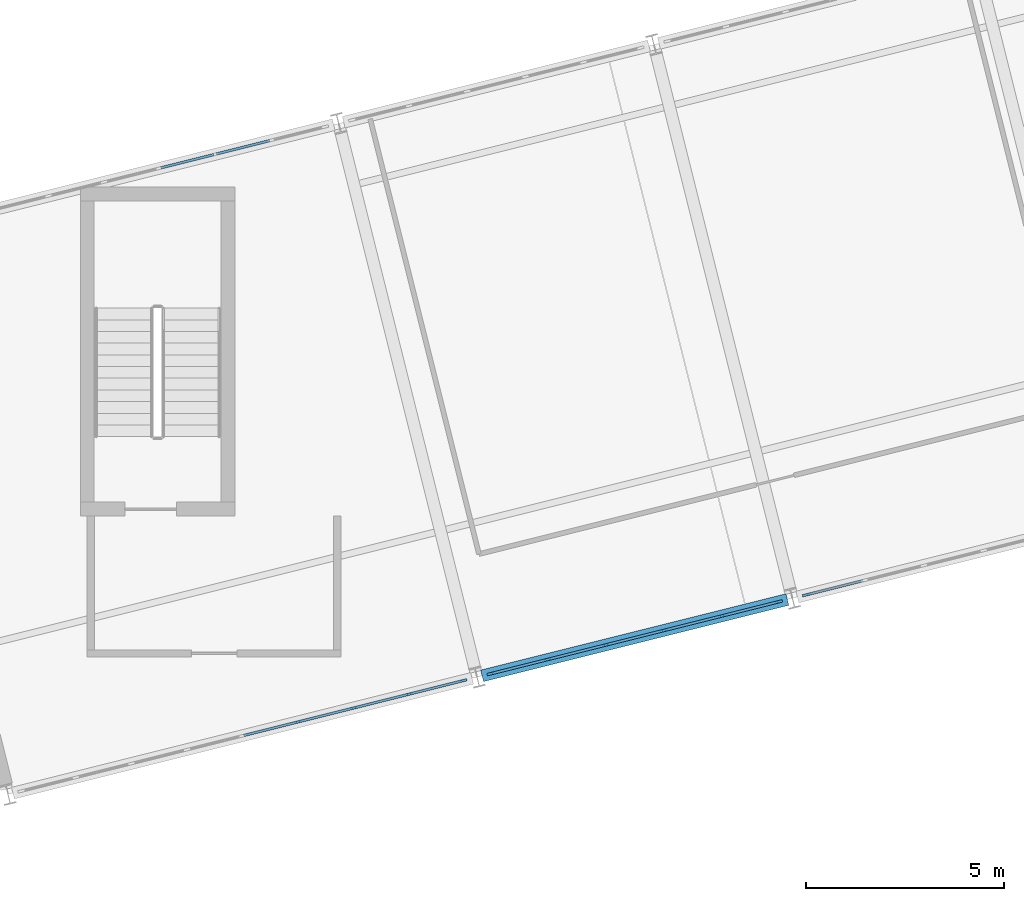
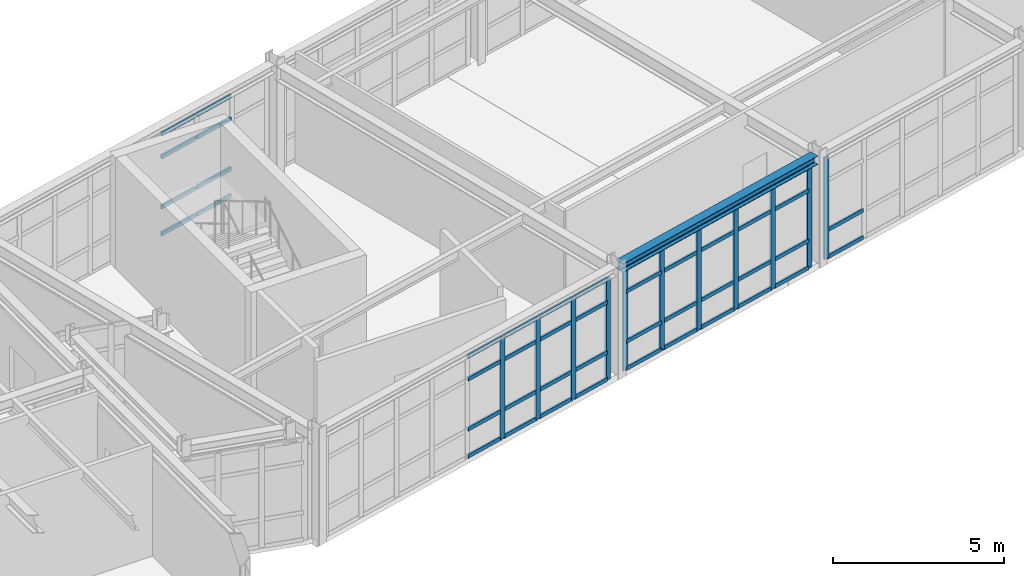
# One storey, part 19 of 88: 57 members, 1 beam, 4 elements without a shape of their own.
"""IFC4 building model written with IfcOpenShell, lengths in metres."""

from ifc_helpers import new_model, si_unit, direction, frame, origin, origin_2d, place, context, subcontext, project, spatial, rectangle, i_section, extrude, material, layer, layer_set, material_profile, profile_set, type_object, element, aggregate, save


model = new_model("IFC4")

# Units and contexts
model_context = context("Model", 3, precision=1e-05, world=origin(), true_north=direction((0.0, 1.0)))
body_context = subcontext(model_context, "Body", "Model", "MODEL_VIEW")
ifc_project = project(units=[si_unit("LENGTHUNIT", "METRE"), si_unit("AREAUNIT", "SQUARE_METRE"), si_unit("VOLUMEUNIT", "CUBIC_METRE"), si_unit("PLANEANGLEUNIT", "RADIAN"), si_unit("MASSUNIT", "GRAM", prefix="KILO")], contexts=[model_context])

# Site, building, storey
site_placement = place(None, origin())
site = spatial("IfcSite", under=ifc_project, at=site_placement, CompositionType="ELEMENT")
building_placement = place(site_placement, origin())
building = spatial("IfcBuilding", under=site, at=building_placement, Name="Nordkorset Police Headquarters", CompositionType="ELEMENT")
storey_placement = place(building_placement, frame((0.0, 0.0, 9.449951171875)))
storey = spatial("IfcBuildingStorey", under=building, at=storey_placement, Name="L02", CompositionType="ELEMENT", Elevation=9.449951171875)

# Curtain wall, members
ifc_material_1 = material(Name="Aluminium alloy AW-6060", Category="aluminium")
ifc_layer_1 = layer(ifc_material_1, 0.179931640625, Name="Aluminium alloy AW-6060")
ifc_layer_set_1 = layer_set([ifc_layer_1], Name="Aluminium alloy AW-6060")
curtain_wall_type_1 = type_object("IfcCurtainWallType", Name="CW_Unit_1156x364", PredefinedType="USERDEFINED", material=ifc_layer_set_1)
curtain_wall_1_placement = place(storey_placement, origin())
curtain_wall_1 = element("IfcCurtainWall", 1, at=curtain_wall_1_placement, inside=storey, type_object=curtain_wall_type_1, Name="Unitised Curtain Wall L02 V4S-0", ObjectType="UNITISED CURTAIN WALL", PredefinedType="USERDEFINED")
ifc_material_2 = material(Name="Aluminium alloy AW-6060", Category="aluminium")
ifc_material_profile_1 = material_profile(ifc_material_2, rectangle(XDim=0.06494140625, YDim=0.179931640625, at=origin_2d()), Name="ALU MULL 65x180")
ifc_profile_set_1 = profile_set([ifc_material_profile_1], Name="Aluminium alloy AW-6060")
member_type_1 = type_object("IfcMemberType", Name="CW_Mullion_65x180", PredefinedType="MULLION", material=ifc_profile_set_1)
member_1_placement = place(storey_placement, frame((30.919677734375, 43.829833984375, 0.0), z_axis=(0.0, 0.0, 1.0), x_axis=(-0.242535625038, 0.970142500145, 0.0)))
member_1 = element("IfcMember", 2, at=member_1_placement, type_object=member_type_1, Name="CW-103 mullion 6", PredefinedType="MULLION", context=body_context, shape_type="SweptSolid", body=[
    extrude(rectangle(XDim=0.06494140625, YDim=0.179931640625, at=origin_2d()), origin(), (0.0, 0.0, 1.0), 3.64013671875),
])
member_2_placement = place(storey_placement, frame((32.321533203125, 44.180419921875, 0.0), z_axis=(0.0, 0.0, 1.0), x_axis=(-0.242535625038, 0.970142500145, 0.0)))
member_2 = element("IfcMember", 3, at=member_2_placement, type_object=member_type_1, Name="CW-103 mullion 7", PredefinedType="MULLION", context=body_context, shape_type="SweptSolid", body=[
    extrude(rectangle(XDim=0.06494140625, YDim=0.179931640625, at=origin_2d()), origin(), (0.0, 0.0, 1.0), 3.64013671875),
])
member_3_placement = place(storey_placement, frame((33.723388671875, 44.53076171875, 0.0), z_axis=(0.0, 0.0, 1.0), x_axis=(-0.242535625038, 0.970142500145, 0.0)))
member_3 = element("IfcMember", 4, at=member_3_placement, type_object=member_type_1, Name="CW-103 mullion 8", PredefinedType="MULLION", context=body_context, shape_type="SweptSolid", body=[
    extrude(rectangle(XDim=0.06494140625, YDim=0.179931640625, at=origin_2d()), origin(), (0.0, 0.0, 1.0), 3.64013671875),
])
member_4_placement = place(storey_placement, frame((35.09375, 44.87353515625, 0.0), z_axis=(0.0, 0.0, 1.0), x_axis=(-0.242535625038, 0.970142500145, 0.0)))
member_4 = element("IfcMember", 5, at=member_4_placement, type_object=member_type_1, Name="CW-103 mullion 9", PredefinedType="MULLION", context=body_context, shape_type="SweptSolid", body=[
    extrude(rectangle(XDim=0.06494140625, YDim=0.179931640625, at=origin_2d()), origin(), (0.0, 0.0, 1.0), 3.64013671875),
])

ifc_material_3 = material(Name="Aluminium alloy AW-6060", Category="aluminium")
ifc_layer_2 = layer(ifc_material_3, 0.179931640625, Name="Aluminium alloy AW-6060")
ifc_layer_set_2 = layer_set([ifc_layer_2], Name="Aluminium alloy AW-6060")
curtain_wall_type_2 = type_object("IfcCurtainWallType", Name="CW_Unit_756x364", PredefinedType="USERDEFINED", material=ifc_layer_set_2)
curtain_wall_2_placement = place(storey_placement, origin())
curtain_wall_2 = element("IfcCurtainWall", 6, at=curtain_wall_2_placement, inside=storey, type_object=curtain_wall_type_2, Name="Unitised Curtain Wall L02 V4S-1", ObjectType="UNITISED CURTAIN WALL", PredefinedType="USERDEFINED")
member_5_placement = place(storey_placement, frame((35.777587890625, 45.04443359375, 0.0), z_axis=(0.0, 0.0, 1.0), x_axis=(-0.242535625038, 0.970142500145, 0.0)))
member_5 = element("IfcMember", 7, at=member_5_placement, type_object=member_type_1, Name="CW-10 mullion 1", PredefinedType="MULLION", context=body_context, shape_type="SweptSolid", body=[
    extrude(rectangle(XDim=0.06494140625, YDim=0.179931640625, at=origin_2d()), origin(), (0.0, 0.0, 1.0), 3.64013671875),
])
member_6_placement = place(storey_placement, frame((37.213134765625, 45.4033203125, 0.0), z_axis=(0.0, 0.0, 1.0), x_axis=(-0.242535625038, 0.970142500145, 0.0)))
member_6 = element("IfcMember", 8, at=member_6_placement, type_object=member_type_1, Name="CW-10 mullion 2", PredefinedType="MULLION", context=body_context, shape_type="SweptSolid", body=[
    extrude(rectangle(XDim=0.06494140625, YDim=0.179931640625, at=origin_2d()), origin(), (0.0, 0.0, 1.0), 3.64013671875),
])
member_7_placement = place(storey_placement, frame((38.679931640625, 45.77001953125, 0.0), z_axis=(0.0, 0.0, 1.0), x_axis=(-0.242535625038, 0.970142500145, 0.0)))
member_7 = element("IfcMember", 9, at=member_7_placement, type_object=member_type_1, Name="CW-10 mullion 3", PredefinedType="MULLION", context=body_context, shape_type="SweptSolid", body=[
    extrude(rectangle(XDim=0.06494140625, YDim=0.179931640625, at=origin_2d()), origin(), (0.0, 0.0, 1.0), 3.64013671875),
])
member_8_placement = place(storey_placement, frame((40.146728515625, 46.13671875, 0.0), z_axis=(0.0, 0.0, 1.0), x_axis=(-0.242535625038, 0.970142500145, 0.0)))
member_8 = element("IfcMember", 10, at=member_8_placement, type_object=member_type_1, Name="CW-10 mullion 4", PredefinedType="MULLION", context=body_context, shape_type="SweptSolid", body=[
    extrude(rectangle(XDim=0.06494140625, YDim=0.179931640625, at=origin_2d()), origin(), (0.0, 0.0, 1.0), 3.64013671875),
])
member_9_placement = place(storey_placement, frame((41.613525390625, 46.50341796875, 0.0), z_axis=(0.0, 0.0, 1.0), x_axis=(-0.242535625038, 0.970142500145, 0.0)))
member_9 = element("IfcMember", 11, at=member_9_placement, type_object=member_type_1, Name="CW-10 mullion 5", PredefinedType="MULLION", context=body_context, shape_type="SweptSolid", body=[
    extrude(rectangle(XDim=0.06494140625, YDim=0.179931640625, at=origin_2d()), origin(), (0.0, 0.0, 1.0), 3.64013671875),
])
member_10_placement = place(storey_placement, frame((43.048828125, 46.8623046875, 0.0), z_axis=(0.0, 0.0, 1.0), x_axis=(-0.242535625038, 0.970142500145, 0.0)))
member_10 = element("IfcMember", 12, at=member_10_placement, type_object=member_type_1, Name="CW-10 mullion 6", PredefinedType="MULLION", context=body_context, shape_type="SweptSolid", body=[
    extrude(rectangle(XDim=0.06494140625, YDim=0.179931640625, at=origin_2d()), origin(), (0.0, 0.0, 1.0), 3.64013671875),
])

# Curtain wall, member
ifc_material_4 = material(Name="Aluminium alloy AW-6060", Category="aluminium")
ifc_layer_3 = layer(ifc_material_4, 0.179931640625, Name="Aluminium alloy AW-6060")
ifc_layer_set_3 = layer_set([ifc_layer_3], Name="Aluminium alloy AW-6060")
curtain_wall_type_3 = type_object("IfcCurtainWallType", Name="CW_Unit_776x364", PredefinedType="USERDEFINED", material=ifc_layer_set_3)
curtain_wall_3_placement = place(storey_placement, origin())
curtain_wall_3 = element("IfcCurtainWall", 13, at=curtain_wall_3_placement, inside=storey, type_object=curtain_wall_type_3, Name="Unitised Curtain Wall L02 V4S-2", ObjectType="UNITISED CURTAIN WALL", PredefinedType="USERDEFINED")
member_11_placement = place(storey_placement, frame((43.73291015625, 47.033203125, 0.0), z_axis=(0.0, 0.0, 1.0), x_axis=(-0.24253471539, 0.970142727556, 0.0)))
member_11 = element("IfcMember", 14, at=member_11_placement, type_object=member_type_1, Name="CW-100 mullion 1", PredefinedType="MULLION", context=body_context, shape_type="SweptSolid", body=[
    extrude(rectangle(XDim=0.06494140625, YDim=0.179931640625, at=origin_2d()), origin(), (0.0, 0.0, 1.0), 3.64013671875),
])

# Member
ifc_material_5 = material(Name="Aluminium alloy AW-6060", Category="aluminium")
ifc_material_profile_2 = material_profile(ifc_material_5, rectangle(XDim=0.06494140625, YDim=0.139892578125, at=origin_2d()), Name="ALU TRAN 65x140")
ifc_profile_set_2 = profile_set([ifc_material_profile_2], Name="Aluminium alloy AW-6060")
member_type_2 = type_object("IfcMemberType", Name="CW_Transom_65x140", PredefinedType="USERDEFINED", material=ifc_profile_set_2)
member_12_placement = place(storey_placement, frame((29.54931640625, 43.4873046875, 0.032470703125), z_axis=(0.970142500145, 0.242535625036, 0.0), x_axis=(-0.242535625036, 0.970142500145, 0.0)))
member_12 = element("IfcMember", 15, at=member_12_placement, type_object=member_type_2, Name="CW-103 transom 5.1", ObjectType="TRANSOM", PredefinedType="USERDEFINED", context=body_context, shape_type="SweptSolid", body=[
    extrude(rectangle(XDim=0.06494140625, YDim=0.139892578125, at=origin_2d()), origin(), (0.0, 0.0, 1.0), 1.380126953125),
])

member_13_placement = place(storey_placement, frame((29.54931640625, 43.4873046875, 1.0), z_axis=(0.970142500145, 0.242535625036, 0.0), x_axis=(-0.242535625036, 0.970142500145, 0.0)))
member_13 = element("IfcMember", 16, at=member_13_placement, type_object=member_type_2, Name="CW-103 transom 5.2", ObjectType="TRANSOM", PredefinedType="USERDEFINED", context=body_context, shape_type="SweptSolid", body=[
    extrude(rectangle(XDim=0.06494140625, YDim=0.139892578125, at=origin_2d()), origin(), (0.0, 0.0, 1.0), 1.380126953125),
])

member_14_placement = place(storey_placement, frame((29.54931640625, 43.4873046875, 2.7900390625), z_axis=(0.970142500145, 0.242535625036, 0.0), x_axis=(-0.242535625036, 0.970142500145, 0.0)))
member_14 = element("IfcMember", 17, at=member_14_placement, type_object=member_type_2, Name="CW-103 transom 5.3", ObjectType="TRANSOM", PredefinedType="USERDEFINED", context=body_context, shape_type="SweptSolid", body=[
    extrude(rectangle(XDim=0.06494140625, YDim=0.139892578125, at=origin_2d()), origin(), (0.0, 0.0, 1.0), 1.380126953125),
])

member_15_placement = place(storey_placement, frame((29.54931640625, 43.4873046875, 3.607666015625), z_axis=(0.970142500145, 0.242535625036, 0.0), x_axis=(-0.242535625036, 0.970142500145, 0.0)))
member_15 = element("IfcMember", 18, at=member_15_placement, type_object=member_type_2, Name="CW-103 transom 5.4", ObjectType="TRANSOM", PredefinedType="USERDEFINED", context=body_context, shape_type="SweptSolid", body=[
    extrude(rectangle(XDim=0.06494140625, YDim=0.139892578125, at=origin_2d()), origin(), (0.0, 0.0, 1.0), 1.380126953125),
])

member_16_placement = place(storey_placement, frame((30.951171875, 43.837890625, 0.032470703125), z_axis=(0.970142500145, 0.242535625036, 0.0), x_axis=(-0.242535625036, 0.970142500145, 0.0)))
member_16 = element("IfcMember", 19, at=member_16_placement, type_object=member_type_2, Name="CW-103 transom 6.1", ObjectType="TRANSOM", PredefinedType="USERDEFINED", context=body_context, shape_type="SweptSolid", body=[
    extrude(rectangle(XDim=0.06494140625, YDim=0.139892578125, at=origin_2d()), origin(), (0.0, 0.0, 1.0), 1.380126953125),
])

member_17_placement = place(storey_placement, frame((30.951171875, 43.837890625, 1.0), z_axis=(0.970142500145, 0.242535625036, 0.0), x_axis=(-0.242535625036, 0.970142500145, 0.0)))
member_17 = element("IfcMember", 20, at=member_17_placement, type_object=member_type_2, Name="CW-103 transom 6.2", ObjectType="TRANSOM", PredefinedType="USERDEFINED", context=body_context, shape_type="SweptSolid", body=[
    extrude(rectangle(XDim=0.06494140625, YDim=0.139892578125, at=origin_2d()), origin(), (0.0, 0.0, 1.0), 1.380126953125),
])

member_18_placement = place(storey_placement, frame((30.951171875, 43.837890625, 2.7900390625), z_axis=(0.970142500145, 0.242535625036, 0.0), x_axis=(-0.242535625036, 0.970142500145, 0.0)))
member_18 = element("IfcMember", 21, at=member_18_placement, type_object=member_type_2, Name="CW-103 transom 6.3", ObjectType="TRANSOM", PredefinedType="USERDEFINED", context=body_context, shape_type="SweptSolid", body=[
    extrude(rectangle(XDim=0.06494140625, YDim=0.139892578125, at=origin_2d()), origin(), (0.0, 0.0, 1.0), 1.380126953125),
])

member_19_placement = place(storey_placement, frame((30.951171875, 43.837890625, 3.607666015625), z_axis=(0.970142500145, 0.242535625036, 0.0), x_axis=(-0.242535625036, 0.970142500145, 0.0)))
member_19 = element("IfcMember", 22, at=member_19_placement, type_object=member_type_2, Name="CW-103 transom 6.4", ObjectType="TRANSOM", PredefinedType="USERDEFINED", context=body_context, shape_type="SweptSolid", body=[
    extrude(rectangle(XDim=0.06494140625, YDim=0.139892578125, at=origin_2d()), origin(), (0.0, 0.0, 1.0), 1.380126953125),
])

member_20_placement = place(storey_placement, frame((32.35302734375, 44.188232421875, 0.032470703125), z_axis=(0.970142500145, 0.242535625036, 0.0), x_axis=(-0.242535625036, 0.970142500145, 0.0)))
member_20 = element("IfcMember", 23, at=member_20_placement, type_object=member_type_2, Name="CW-103 transom 7.1", ObjectType="TRANSOM", PredefinedType="USERDEFINED", context=body_context, shape_type="SweptSolid", body=[
    extrude(rectangle(XDim=0.06494140625, YDim=0.139892578125, at=origin_2d()), origin(), (0.0, 0.0, 1.0), 1.380126953125),
])

member_21_placement = place(storey_placement, frame((32.35302734375, 44.188232421875, 1.0), z_axis=(0.970142500145, 0.242535625036, 0.0), x_axis=(-0.242535625036, 0.970142500145, 0.0)))
member_21 = element("IfcMember", 24, at=member_21_placement, type_object=member_type_2, Name="CW-103 transom 7.2", ObjectType="TRANSOM", PredefinedType="USERDEFINED", context=body_context, shape_type="SweptSolid", body=[
    extrude(rectangle(XDim=0.06494140625, YDim=0.139892578125, at=origin_2d()), origin(), (0.0, 0.0, 1.0), 1.380126953125),
])

member_22_placement = place(storey_placement, frame((32.35302734375, 44.188232421875, 2.7900390625), z_axis=(0.970142500145, 0.242535625036, 0.0), x_axis=(-0.242535625036, 0.970142500145, 0.0)))
member_22 = element("IfcMember", 25, at=member_22_placement, type_object=member_type_2, Name="CW-103 transom 7.3", ObjectType="TRANSOM", PredefinedType="USERDEFINED", context=body_context, shape_type="SweptSolid", body=[
    extrude(rectangle(XDim=0.06494140625, YDim=0.139892578125, at=origin_2d()), origin(), (0.0, 0.0, 1.0), 1.380126953125),
])

member_23_placement = place(storey_placement, frame((32.35302734375, 44.188232421875, 3.607666015625), z_axis=(0.970142500145, 0.242535625036, 0.0), x_axis=(-0.242535625036, 0.970142500145, 0.0)))
member_23 = element("IfcMember", 26, at=member_23_placement, type_object=member_type_2, Name="CW-103 transom 7.4", ObjectType="TRANSOM", PredefinedType="USERDEFINED", context=body_context, shape_type="SweptSolid", body=[
    extrude(rectangle(XDim=0.06494140625, YDim=0.139892578125, at=origin_2d()), origin(), (0.0, 0.0, 1.0), 1.380126953125),
])

member_24_placement = place(storey_placement, frame((33.7548828125, 44.538818359375, 0.032470703125), z_axis=(0.970174463193, 0.242407737022, 0.0), x_axis=(-0.242407737022, 0.970174463193, 0.0)))
member_24 = element("IfcMember", 27, at=member_24_placement, type_object=member_type_2, Name="CW-103 transom 8.1", ObjectType="TRANSOM", PredefinedType="USERDEFINED", context=body_context, shape_type="SweptSolid", body=[
    extrude(rectangle(XDim=0.06494140625, YDim=0.139892578125, at=origin_2d()), origin(), (0.0, 0.0, 1.0), 1.34765625),
])

member_25_placement = place(storey_placement, frame((33.7548828125, 44.538818359375, 1.0), z_axis=(0.970174463193, 0.242407737022, 0.0), x_axis=(-0.242407737022, 0.970174463193, 0.0)))
member_25 = element("IfcMember", 28, at=member_25_placement, type_object=member_type_2, Name="CW-103 transom 8.2", ObjectType="TRANSOM", PredefinedType="USERDEFINED", context=body_context, shape_type="SweptSolid", body=[
    extrude(rectangle(XDim=0.06494140625, YDim=0.139892578125, at=origin_2d()), origin(), (0.0, 0.0, 1.0), 1.34765625),
])

member_26_placement = place(storey_placement, frame((33.7548828125, 44.538818359375, 2.7900390625), z_axis=(0.970174463193, 0.242407737022, 0.0), x_axis=(-0.242407737022, 0.970174463193, 0.0)))
member_26 = element("IfcMember", 29, at=member_26_placement, type_object=member_type_2, Name="CW-103 transom 8.3", ObjectType="TRANSOM", PredefinedType="USERDEFINED", context=body_context, shape_type="SweptSolid", body=[
    extrude(rectangle(XDim=0.06494140625, YDim=0.139892578125, at=origin_2d()), origin(), (0.0, 0.0, 1.0), 1.34765625),
])

member_27_placement = place(storey_placement, frame((33.7548828125, 44.538818359375, 3.607666015625), z_axis=(0.970174463193, 0.242407737022, 0.0), x_axis=(-0.242407737022, 0.970174463193, 0.0)))
member_27 = element("IfcMember", 30, at=member_27_placement, type_object=member_type_2, Name="CW-103 transom 8.4", ObjectType="TRANSOM", PredefinedType="USERDEFINED", context=body_context, shape_type="SweptSolid", body=[
    extrude(rectangle(XDim=0.06494140625, YDim=0.139892578125, at=origin_2d()), origin(), (0.0, 0.0, 1.0), 1.34765625),
])

aggregate(curtain_wall_1, [member_1, member_2, member_3, member_4, member_12, member_13, member_14, member_15, member_16, member_17, member_18, member_19, member_20, member_21, member_22, member_23, member_24, member_25, member_26, member_27])

# Curtain wall, members
curtain_wall_4_placement = place(storey_placement, origin())
curtain_wall_4 = element("IfcCurtainWall", 31, at=curtain_wall_4_placement, inside=storey, type_object=curtain_wall_type_1, Name="Unitised Curtain Wall L02 V4N-0", ObjectType="UNITISED CURTAIN WALL", PredefinedType="USERDEFINED")
member_28_placement = place(storey_placement, frame((27.458740234375, 57.807861328125, 0.032470703125), z_axis=(0.970142500145, 0.242535625036, 0.0), x_axis=(-0.242535625036, 0.970142500145, 0.0)))
member_28 = element("IfcMember", 32, at=member_28_placement, type_object=member_type_2, Name="CW-103 transom 6.1", ObjectType="TRANSOM", PredefinedType="USERDEFINED", context=body_context, shape_type="SweptSolid", body=[
    extrude(rectangle(XDim=0.06494140625, YDim=0.139892578125, at=origin_2d()), origin(), (0.0, 0.0, 1.0), 1.380126953125),
])
member_29_placement = place(storey_placement, frame((27.458740234375, 57.807861328125, 1.0), z_axis=(0.970142500145, 0.242535625036, 0.0), x_axis=(-0.242535625036, 0.970142500145, 0.0)))
member_29 = element("IfcMember", 33, at=member_29_placement, type_object=member_type_2, Name="CW-103 transom 6.2", ObjectType="TRANSOM", PredefinedType="USERDEFINED", context=body_context, shape_type="SweptSolid", body=[
    extrude(rectangle(XDim=0.06494140625, YDim=0.139892578125, at=origin_2d()), origin(), (0.0, 0.0, 1.0), 1.380126953125),
])
member_30_placement = place(storey_placement, frame((27.458740234375, 57.807861328125, 2.7900390625), z_axis=(0.970142500145, 0.242535625036, 0.0), x_axis=(-0.242535625036, 0.970142500145, 0.0)))
member_30 = element("IfcMember", 34, at=member_30_placement, type_object=member_type_2, Name="CW-103 transom 6.3", ObjectType="TRANSOM", PredefinedType="USERDEFINED", context=body_context, shape_type="SweptSolid", body=[
    extrude(rectangle(XDim=0.06494140625, YDim=0.139892578125, at=origin_2d()), origin(), (0.0, 0.0, 1.0), 1.380126953125),
])
member_31_placement = place(storey_placement, frame((27.458740234375, 57.807861328125, 3.607666015625), z_axis=(0.970142500145, 0.242535625036, 0.0), x_axis=(-0.242535625036, 0.970142500145, 0.0)))
member_31 = element("IfcMember", 35, at=member_31_placement, type_object=member_type_2, Name="CW-103 transom 6.4", ObjectType="TRANSOM", PredefinedType="USERDEFINED", context=body_context, shape_type="SweptSolid", body=[
    extrude(rectangle(XDim=0.06494140625, YDim=0.139892578125, at=origin_2d()), origin(), (0.0, 0.0, 1.0), 1.380126953125),
])
member_32_placement = place(storey_placement, frame((28.860595703125, 58.158447265625, 0.032470703125), z_axis=(0.970184112154, 0.242369116275, 0.0), x_axis=(-0.242369116275, 0.970184112154, 0.0)))
member_32 = element("IfcMember", 36, at=member_32_placement, type_object=member_type_2, Name="CW-103 transom 7.1", ObjectType="TRANSOM", PredefinedType="USERDEFINED", context=body_context, shape_type="SweptSolid", body=[
    extrude(rectangle(XDim=0.06494140625, YDim=0.139892578125, at=origin_2d()), origin(), (0.0, 0.0, 1.0), 1.380126953125),
])
member_33_placement = place(storey_placement, frame((28.860595703125, 58.158447265625, 1.0), z_axis=(0.970184112154, 0.242369116275, 0.0), x_axis=(-0.242369116275, 0.970184112154, 0.0)))
member_33 = element("IfcMember", 37, at=member_33_placement, type_object=member_type_2, Name="CW-103 transom 7.2", ObjectType="TRANSOM", PredefinedType="USERDEFINED", context=body_context, shape_type="SweptSolid", body=[
    extrude(rectangle(XDim=0.06494140625, YDim=0.139892578125, at=origin_2d()), origin(), (0.0, 0.0, 1.0), 1.380126953125),
])
member_34_placement = place(storey_placement, frame((28.860595703125, 58.158447265625, 2.7900390625), z_axis=(0.970184112154, 0.242369116275, 0.0), x_axis=(-0.242369116275, 0.970184112154, 0.0)))
member_34 = element("IfcMember", 38, at=member_34_placement, type_object=member_type_2, Name="CW-103 transom 7.3", ObjectType="TRANSOM", PredefinedType="USERDEFINED", context=body_context, shape_type="SweptSolid", body=[
    extrude(rectangle(XDim=0.06494140625, YDim=0.139892578125, at=origin_2d()), origin(), (0.0, 0.0, 1.0), 1.380126953125),
])
member_35_placement = place(storey_placement, frame((28.860595703125, 58.158447265625, 3.607666015625), z_axis=(0.970184112154, 0.242369116275, 0.0), x_axis=(-0.242369116275, 0.970184112154, 0.0)))
member_35 = element("IfcMember", 39, at=member_35_placement, type_object=member_type_2, Name="CW-103 transom 7.4", ObjectType="TRANSOM", PredefinedType="USERDEFINED", context=body_context, shape_type="SweptSolid", body=[
    extrude(rectangle(XDim=0.06494140625, YDim=0.139892578125, at=origin_2d()), origin(), (0.0, 0.0, 1.0), 1.380126953125),
])
aggregate(curtain_wall_4, [member_28, member_29, member_30, member_31, member_32, member_33, member_34, member_35])

# Member
member_36_placement = place(storey_placement, frame((35.809326171875, 45.05224609375, 0.032470703125), z_axis=(0.970142500145, 0.242535625036, 0.0), x_axis=(-0.242535625036, 0.970142500145, 0.0)))
member_36 = element("IfcMember", 40, at=member_36_placement, type_object=member_type_2, Name="CW-10 transom 1.1", ObjectType="TRANSOM", PredefinedType="USERDEFINED", context=body_context, shape_type="SweptSolid", body=[
    extrude(rectangle(XDim=0.06494140625, YDim=0.139892578125, at=origin_2d()), origin(), (0.0, 0.0, 1.0), 1.414306640625),
])

member_37_placement = place(storey_placement, frame((35.809326171875, 45.05224609375, 1.0), z_axis=(0.970142500145, 0.242535625036, 0.0), x_axis=(-0.242535625036, 0.970142500145, 0.0)))
member_37 = element("IfcMember", 41, at=member_37_placement, type_object=member_type_2, Name="CW-10 transom 1.2", ObjectType="TRANSOM", PredefinedType="USERDEFINED", context=body_context, shape_type="SweptSolid", body=[
    extrude(rectangle(XDim=0.06494140625, YDim=0.139892578125, at=origin_2d()), origin(), (0.0, 0.0, 1.0), 1.414306640625),
])

member_38_placement = place(storey_placement, frame((35.809326171875, 45.05224609375, 2.7900390625), z_axis=(0.970142500145, 0.242535625036, 0.0), x_axis=(-0.242535625036, 0.970142500145, 0.0)))
member_38 = element("IfcMember", 42, at=member_38_placement, type_object=member_type_2, Name="CW-10 transom 1.3", ObjectType="TRANSOM", PredefinedType="USERDEFINED", context=body_context, shape_type="SweptSolid", body=[
    extrude(rectangle(XDim=0.06494140625, YDim=0.139892578125, at=origin_2d()), origin(), (0.0, 0.0, 1.0), 1.414306640625),
])

member_39_placement = place(storey_placement, frame((35.809326171875, 45.05224609375, 3.607666015625), z_axis=(0.970142500145, 0.242535625036, 0.0), x_axis=(-0.242535625036, 0.970142500145, 0.0)))
member_39 = element("IfcMember", 43, at=member_39_placement, type_object=member_type_2, Name="CW-10 transom 1.4", ObjectType="TRANSOM", PredefinedType="USERDEFINED", context=body_context, shape_type="SweptSolid", body=[
    extrude(rectangle(XDim=0.06494140625, YDim=0.139892578125, at=origin_2d()), origin(), (0.0, 0.0, 1.0), 1.414306640625),
])

member_40_placement = place(storey_placement, frame((37.24462890625, 45.4111328125, 0.032470703125), z_axis=(0.97012264784, 0.242615020451, 0.0), x_axis=(-0.242615020451, 0.97012264784, 0.0)))
member_40 = element("IfcMember", 44, at=member_40_placement, type_object=member_type_2, Name="CW-10 transom 2.1", ObjectType="TRANSOM", PredefinedType="USERDEFINED", context=body_context, shape_type="SweptSolid", body=[
    extrude(rectangle(XDim=0.06494140625, YDim=0.139892578125, at=origin_2d()), origin(), (0.0, 0.0, 1.0), 1.447021484375),
])

member_41_placement = place(storey_placement, frame((37.24462890625, 45.4111328125, 1.0), z_axis=(0.97012264784, 0.242615020451, 0.0), x_axis=(-0.242615020451, 0.97012264784, 0.0)))
member_41 = element("IfcMember", 45, at=member_41_placement, type_object=member_type_2, Name="CW-10 transom 2.2", ObjectType="TRANSOM", PredefinedType="USERDEFINED", context=body_context, shape_type="SweptSolid", body=[
    extrude(rectangle(XDim=0.06494140625, YDim=0.139892578125, at=origin_2d()), origin(), (0.0, 0.0, 1.0), 1.447021484375),
])

member_42_placement = place(storey_placement, frame((37.24462890625, 45.4111328125, 2.7900390625), z_axis=(0.97012264784, 0.242615020451, 0.0), x_axis=(-0.242615020451, 0.97012264784, 0.0)))
member_42 = element("IfcMember", 46, at=member_42_placement, type_object=member_type_2, Name="CW-10 transom 2.3", ObjectType="TRANSOM", PredefinedType="USERDEFINED", context=body_context, shape_type="SweptSolid", body=[
    extrude(rectangle(XDim=0.06494140625, YDim=0.139892578125, at=origin_2d()), origin(), (0.0, 0.0, 1.0), 1.447021484375),
])

member_43_placement = place(storey_placement, frame((37.24462890625, 45.4111328125, 3.607666015625), z_axis=(0.97012264784, 0.242615020451, 0.0), x_axis=(-0.242615020451, 0.97012264784, 0.0)))
member_43 = element("IfcMember", 47, at=member_43_placement, type_object=member_type_2, Name="CW-10 transom 2.4", ObjectType="TRANSOM", PredefinedType="USERDEFINED", context=body_context, shape_type="SweptSolid", body=[
    extrude(rectangle(XDim=0.06494140625, YDim=0.139892578125, at=origin_2d()), origin(), (0.0, 0.0, 1.0), 1.447021484375),
])

member_44_placement = place(storey_placement, frame((38.71142578125, 45.77783203125, 0.032470703125), z_axis=(0.97012264784, 0.242615020451, 0.0), x_axis=(-0.242615020451, 0.97012264784, 0.0)))
member_44 = element("IfcMember", 48, at=member_44_placement, type_object=member_type_2, Name="CW-10 transom 3.1", ObjectType="TRANSOM", PredefinedType="USERDEFINED", context=body_context, shape_type="SweptSolid", body=[
    extrude(rectangle(XDim=0.06494140625, YDim=0.139892578125, at=origin_2d()), origin(), (0.0, 0.0, 1.0), 1.447021484375),
])

member_45_placement = place(storey_placement, frame((38.71142578125, 45.77783203125, 1.0), z_axis=(0.97012264784, 0.242615020451, 0.0), x_axis=(-0.242615020451, 0.97012264784, 0.0)))
member_45 = element("IfcMember", 49, at=member_45_placement, type_object=member_type_2, Name="CW-10 transom 3.2", ObjectType="TRANSOM", PredefinedType="USERDEFINED", context=body_context, shape_type="SweptSolid", body=[
    extrude(rectangle(XDim=0.06494140625, YDim=0.139892578125, at=origin_2d()), origin(), (0.0, 0.0, 1.0), 1.447021484375),
])

member_46_placement = place(storey_placement, frame((38.71142578125, 45.77783203125, 2.7900390625), z_axis=(0.97012264784, 0.242615020451, 0.0), x_axis=(-0.242615020451, 0.97012264784, 0.0)))
member_46 = element("IfcMember", 50, at=member_46_placement, type_object=member_type_2, Name="CW-10 transom 3.3", ObjectType="TRANSOM", PredefinedType="USERDEFINED", context=body_context, shape_type="SweptSolid", body=[
    extrude(rectangle(XDim=0.06494140625, YDim=0.139892578125, at=origin_2d()), origin(), (0.0, 0.0, 1.0), 1.447021484375),
])

member_47_placement = place(storey_placement, frame((38.71142578125, 45.77783203125, 3.607666015625), z_axis=(0.97012264784, 0.242615020451, 0.0), x_axis=(-0.242615020451, 0.97012264784, 0.0)))
member_47 = element("IfcMember", 51, at=member_47_placement, type_object=member_type_2, Name="CW-10 transom 3.4", ObjectType="TRANSOM", PredefinedType="USERDEFINED", context=body_context, shape_type="SweptSolid", body=[
    extrude(rectangle(XDim=0.06494140625, YDim=0.139892578125, at=origin_2d()), origin(), (0.0, 0.0, 1.0), 1.447021484375),
])

member_48_placement = place(storey_placement, frame((40.17822265625, 46.14453125, 0.032470703125), z_axis=(0.97012264784, 0.242615020451, 0.0), x_axis=(-0.242615020451, 0.97012264784, 0.0)))
member_48 = element("IfcMember", 52, at=member_48_placement, type_object=member_type_2, Name="CW-10 transom 4.1", ObjectType="TRANSOM", PredefinedType="USERDEFINED", context=body_context, shape_type="SweptSolid", body=[
    extrude(rectangle(XDim=0.06494140625, YDim=0.139892578125, at=origin_2d()), origin(), (0.0, 0.0, 1.0), 1.447021484375),
])

member_49_placement = place(storey_placement, frame((40.17822265625, 46.14453125, 1.0), z_axis=(0.97012264784, 0.242615020451, 0.0), x_axis=(-0.242615020451, 0.97012264784, 0.0)))
member_49 = element("IfcMember", 53, at=member_49_placement, type_object=member_type_2, Name="CW-10 transom 4.2", ObjectType="TRANSOM", PredefinedType="USERDEFINED", context=body_context, shape_type="SweptSolid", body=[
    extrude(rectangle(XDim=0.06494140625, YDim=0.139892578125, at=origin_2d()), origin(), (0.0, 0.0, 1.0), 1.447021484375),
])

member_50_placement = place(storey_placement, frame((40.17822265625, 46.14453125, 2.7900390625), z_axis=(0.97012264784, 0.242615020451, 0.0), x_axis=(-0.242615020451, 0.97012264784, 0.0)))
member_50 = element("IfcMember", 54, at=member_50_placement, type_object=member_type_2, Name="CW-10 transom 4.3", ObjectType="TRANSOM", PredefinedType="USERDEFINED", context=body_context, shape_type="SweptSolid", body=[
    extrude(rectangle(XDim=0.06494140625, YDim=0.139892578125, at=origin_2d()), origin(), (0.0, 0.0, 1.0), 1.447021484375),
])

member_51_placement = place(storey_placement, frame((40.17822265625, 46.14453125, 3.607666015625), z_axis=(0.97012264784, 0.242615020451, 0.0), x_axis=(-0.242615020451, 0.97012264784, 0.0)))
member_51 = element("IfcMember", 55, at=member_51_placement, type_object=member_type_2, Name="CW-10 transom 4.4", ObjectType="TRANSOM", PredefinedType="USERDEFINED", context=body_context, shape_type="SweptSolid", body=[
    extrude(rectangle(XDim=0.06494140625, YDim=0.139892578125, at=origin_2d()), origin(), (0.0, 0.0, 1.0), 1.447021484375),
])

member_52_placement = place(storey_placement, frame((41.64501953125, 46.51123046875, 0.032470703125), z_axis=(0.970152651902, 0.242495014396, 0.0), x_axis=(-0.242495014396, 0.970152651902, 0.0)))
member_52 = element("IfcMember", 56, at=member_52_placement, type_object=member_type_2, Name="CW-10 transom 5.1", ObjectType="TRANSOM", PredefinedType="USERDEFINED", context=body_context, shape_type="SweptSolid", body=[
    extrude(rectangle(XDim=0.06494140625, YDim=0.139892578125, at=origin_2d()), origin(), (0.0, 0.0, 1.0), 1.41455078125),
])

member_53_placement = place(storey_placement, frame((41.64501953125, 46.51123046875, 1.0), z_axis=(0.970152651902, 0.242495014396, 0.0), x_axis=(-0.242495014396, 0.970152651902, 0.0)))
member_53 = element("IfcMember", 57, at=member_53_placement, type_object=member_type_2, Name="CW-10 transom 5.2", ObjectType="TRANSOM", PredefinedType="USERDEFINED", context=body_context, shape_type="SweptSolid", body=[
    extrude(rectangle(XDim=0.06494140625, YDim=0.139892578125, at=origin_2d()), origin(), (0.0, 0.0, 1.0), 1.41455078125),
])

member_54_placement = place(storey_placement, frame((41.64501953125, 46.51123046875, 2.7900390625), z_axis=(0.970152651902, 0.242495014396, 0.0), x_axis=(-0.242495014396, 0.970152651902, 0.0)))
member_54 = element("IfcMember", 58, at=member_54_placement, type_object=member_type_2, Name="CW-10 transom 5.3", ObjectType="TRANSOM", PredefinedType="USERDEFINED", context=body_context, shape_type="SweptSolid", body=[
    extrude(rectangle(XDim=0.06494140625, YDim=0.139892578125, at=origin_2d()), origin(), (0.0, 0.0, 1.0), 1.41455078125),
])

member_55_placement = place(storey_placement, frame((41.64501953125, 46.51123046875, 3.607666015625), z_axis=(0.970152651902, 0.242495014396, 0.0), x_axis=(-0.242495014396, 0.970152651902, 0.0)))
member_55 = element("IfcMember", 59, at=member_55_placement, type_object=member_type_2, Name="CW-10 transom 5.4", ObjectType="TRANSOM", PredefinedType="USERDEFINED", context=body_context, shape_type="SweptSolid", body=[
    extrude(rectangle(XDim=0.06494140625, YDim=0.139892578125, at=origin_2d()), origin(), (0.0, 0.0, 1.0), 1.41455078125),
])

aggregate(curtain_wall_2, [member_5, member_6, member_7, member_8, member_9, member_10, member_36, member_37, member_38, member_39, member_40, member_41, member_42, member_43, member_44, member_45, member_46, member_47, member_48, member_49, member_50, member_51, member_52, member_53, member_54, member_55])

member_56_placement = place(storey_placement, frame((43.764404296875, 47.041015625, 0.032470703125), z_axis=(0.970142500145, 0.242535625036, 0.0), x_axis=(-0.242535625036, 0.970142500145, 0.0)))
member_56 = element("IfcMember", 60, at=member_56_placement, type_object=member_type_2, Name="CW-100 transom 1.1", ObjectType="TRANSOM", PredefinedType="USERDEFINED", context=body_context, shape_type="SweptSolid", body=[
    extrude(rectangle(XDim=0.06494140625, YDim=0.139892578125, at=origin_2d()), origin(), (0.0, 0.0, 1.0), 1.45458984375),
])

member_57_placement = place(storey_placement, frame((43.764404296875, 47.041015625, 1.0), z_axis=(0.970142500145, 0.242535625036, 0.0), x_axis=(-0.242535625036, 0.970142500145, 0.0)))
member_57 = element("IfcMember", 61, at=member_57_placement, type_object=member_type_2, Name="CW-100 transom 1.2", ObjectType="TRANSOM", PredefinedType="USERDEFINED", context=body_context, shape_type="SweptSolid", body=[
    extrude(rectangle(XDim=0.06494140625, YDim=0.139892578125, at=origin_2d()), origin(), (0.0, 0.0, 1.0), 1.45458984375),
])

aggregate(curtain_wall_3, [member_11, member_56, member_57])

# Beam
ifc_material_6 = material(Name="Steel S355J2", Category="steel")
ifc_material_profile_3 = material_profile(ifc_material_6, i_section(OverallWidth=0.300048828125, OverallDepth=0.31005859375, WebThickness=0.009033203125, FlangeThickness=0.015380859375, FilletRadius=0.027099609375, at=origin_2d()), Name="HEA 320")
ifc_profile_set_3 = profile_set([ifc_material_profile_3], Name="Steel S355J2")
beam_type = type_object("IfcBeamType", Name="Spandrel_HEA_320", PredefinedType="SPANDREL", material=ifc_profile_set_3)
beam_placement = place(storey_placement, frame((35.561767578125, 44.990478515625, 3.81494140625), z_axis=(0.970142500145, 0.242535625036, 0.0), x_axis=(-0.242535625036, 0.970142500145, 0.0)))
element("IfcBeam", 62, at=beam_placement, inside=storey, type_object=beam_type, Name="Splayed Wing Spandrel L02 1-0", PredefinedType="SPANDREL", context=body_context, shape_type="SweptSolid", body=[
    extrude(i_section(OverallWidth=0.300048828125, OverallDepth=0.31005859375, WebThickness=0.009033203125, FlangeThickness=0.015380859375, FilletRadius=0.027099609375, at=origin_2d()), origin(), (0.0, 0.0, 1.0), 7.940185546875),
])

save(model, "model.ifc")
